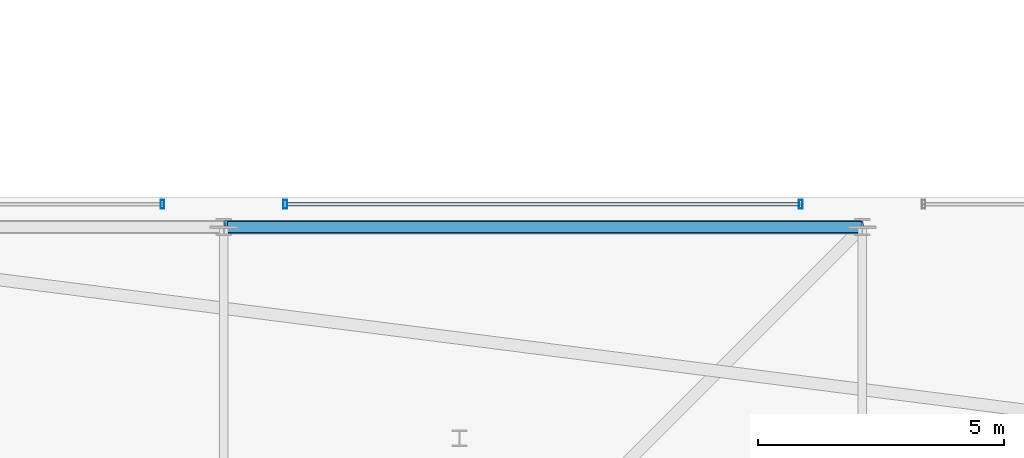
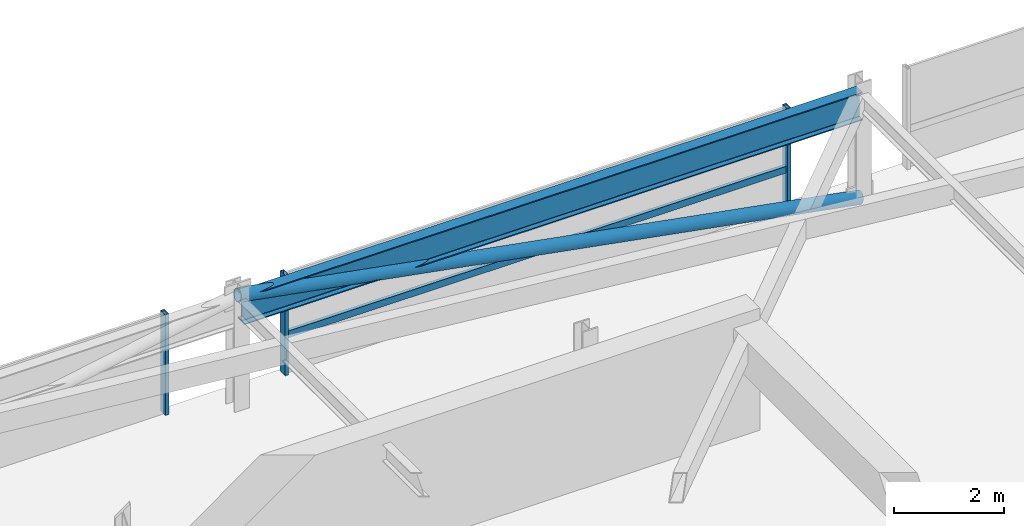
# One storey, part 24 of 42: 5 members, 1 beam, 2 elements without a shape of their own.
"""IFC4 building model written with IfcOpenShell, lengths in metres."""

from ifc_helpers import new_model, si_unit, direction, frame, origin, origin_2d, place, context, subcontext, project, spatial, hollow_rectangle, hollow_circle, i_section, extrude, material, material_profile, profile_set, type_object, element, aggregate, save


model = new_model("IFC4")

# Units and contexts
model_context = context("Model", 3, precision=1e-05, world=origin(), true_north=direction((0.0, 1.0)))
body_context = subcontext(model_context, "Body", "Model", "MODEL_VIEW")
ifc_project = project(units=[si_unit("LENGTHUNIT", "METRE"), si_unit("AREAUNIT", "SQUARE_METRE"), si_unit("VOLUMEUNIT", "CUBIC_METRE"), si_unit("PLANEANGLEUNIT", "RADIAN"), si_unit("MASSUNIT", "GRAM", prefix="KILO")], contexts=[model_context])

# Site, building, storey
site_placement = place(None, origin())
site = spatial("IfcSite", under=ifc_project, at=site_placement, CompositionType="ELEMENT")
building_placement = place(site_placement, origin())
building = spatial("IfcBuilding", under=site, at=building_placement, Name="Thornwick Lancets Civic Towers", CompositionType="ELEMENT")
storey_placement = place(building_placement, frame((0.0, 0.0, 286.800048828125)))
storey = spatial("IfcBuildingStorey", under=building, at=storey_placement, Name="C03", CompositionType="ELEMENT", Elevation=286.800048828125)

# Beam
ifc_material_1 = material(Name="Steel S355JR", Category="steel")
ifc_material_profile_1 = material_profile(ifc_material_1, i_section(OverallWidth=0.230224609375, OverallDepth=0.6171875, WebThickness=0.01318359375, FlangeThickness=0.022216796875, FilletRadius=0.0126953125, at=origin_2d()), Name="UKB 610x229x140")
ifc_profile_set_1 = profile_set([ifc_material_profile_1], Name="Steel S355JR")
beam_type = type_object("IfcBeamType", Name="BM_GIRD_610_140", PredefinedType="BEAM", material=ifc_profile_set_1)
beam_placement = place(storey_placement, frame((25.580078125, 44.300048828125, 2.13134765625), z_axis=(1.0, 0.0, 0.0), x_axis=(0.0, 1.0, 0.0)))
element("IfcBeam", 1, at=beam_placement, inside=storey, type_object=beam_type, Name="BM-SPINE-C03-A-7-8", PredefinedType="BEAM", context=body_context, shape_type="SweptSolid", body=[
    extrude(i_section(OverallWidth=0.230224609375, OverallDepth=0.6171875, WebThickness=0.01318359375, FlangeThickness=0.022216796875, FilletRadius=0.0126953125, at=origin_2d()), origin(), (0.0, 0.0, 1.0), 12.919921875),
])

# Curtain wall, members
ifc_material_2 = material(Name="Crown ring acoustic-louvre and glazing screen wall", Category="glass")
curtain_wall_type = type_object("IfcCurtainWallType", Name="CW_SYS_07", PredefinedType="NOTDEFINED", material=ifc_material_2)
curtain_wall_1_placement = place(storey_placement, origin())
curtain_wall_1 = element("IfcCurtainWall", 2, at=curtain_wall_1_placement, inside=storey, type_object=curtain_wall_type, Name="C03 Curtain Wall CW-C03-A-E4-S2", PredefinedType="NOTDEFINED")
ifc_material_3 = material(Name="Thermally broken bronze aluminium S355", Category="steel")
ifc_material_profile_2 = material_profile(ifc_material_3, hollow_rectangle(XDim=0.074951171875, YDim=0.179931640625, WallThickness=0.006103515625, at=origin_2d()), Name="RHS 180x75x6")
ifc_profile_set_2 = profile_set([ifc_material_profile_2], Name="Thermally broken bronze aluminium S355")
member_type_1 = type_object("IfcMemberType", Name="CW_MUL_180", PredefinedType="MULLION", material=ifc_profile_set_2)
member_1_placement = place(storey_placement, frame((37.25, 44.7646484375, 0.0), z_axis=(0.0, 0.0, 1.0), x_axis=(1.0, 0.0, 0.0)))
member_1 = element("IfcMember", 3, at=member_1_placement, type_object=member_type_1, Name="CW-C03-A-E4-S2 Mullion 0", PredefinedType="MULLION", context=body_context, shape_type="SweptSolid", body=[
    extrude(hollow_rectangle(XDim=0.074951171875, YDim=0.179931640625, WallThickness=0.006103515625, at=origin_2d()), origin(), (0.0, 0.0, 1.0), 2.219970703125),
])
member_2_placement = place(storey_placement, frame((26.75, 44.7646484375, 0.0), z_axis=(0.0, 0.0, 1.0), x_axis=(1.0, 0.0, 0.0)))
member_2 = element("IfcMember", 4, at=member_2_placement, type_object=member_type_1, Name="CW-C03-A-E4-S2 Mullion 1", PredefinedType="MULLION", context=body_context, shape_type="SweptSolid", body=[
    extrude(hollow_rectangle(XDim=0.074951171875, YDim=0.179931640625, WallThickness=0.006103515625, at=origin_2d()), origin(), (0.0, 0.0, 1.0), 2.219970703125),
])

# Curtain wall, member
curtain_wall_2_placement = place(storey_placement, origin())
curtain_wall_2 = element("IfcCurtainWall", 5, at=curtain_wall_2_placement, inside=storey, type_object=curtain_wall_type, Name="C03 Curtain Wall CW-C03-A-E4-S3", PredefinedType="NOTDEFINED")
member_3_placement = place(storey_placement, frame((24.25, 44.7646484375, 0.0), z_axis=(0.0, 0.0, 1.0), x_axis=(1.0, 0.0, 0.0)))
member_3 = element("IfcMember", 6, at=member_3_placement, type_object=member_type_1, Name="CW-C03-A-E4-S3 Mullion 0", PredefinedType="MULLION", context=body_context, shape_type="SweptSolid", body=[
    extrude(hollow_rectangle(XDim=0.074951171875, YDim=0.179931640625, WallThickness=0.006103515625, at=origin_2d()), origin(), (0.0, 0.0, 1.0), 2.219970703125),
])
aggregate(curtain_wall_2, [member_3])

# Member
ifc_material_profile_3 = material_profile(ifc_material_3, hollow_rectangle(XDim=0.074951171875, YDim=0.14990234375, WallThickness=0.0048828125, at=origin_2d()), Name="RHS 150x75x5")
ifc_profile_set_3 = profile_set([ifc_material_profile_3], Name="Thermally broken bronze aluminium S355")
member_type_2 = type_object("IfcMemberType", Name="CW_TRN_150", PredefinedType="USERDEFINED", material=ifc_profile_set_3)
member_4_placement = place(storey_placement, frame((37.22998046875, 44.7646484375, 0.849853515625), z_axis=(-1.0, 0.0, 0.0), x_axis=(0.0, -1.0, 0.0)))
member_4 = element("IfcMember", 7, at=member_4_placement, type_object=member_type_2, Name="CW-C03-A-E4-S2 Transom 0", ObjectType="TRANSOM", PredefinedType="USERDEFINED", context=body_context, shape_type="SweptSolid", body=[
    extrude(hollow_rectangle(XDim=0.074951171875, YDim=0.14990234375, WallThickness=0.0048828125, at=origin_2d()), origin(), (0.0, 0.0, 1.0), 10.4599609375),
])

aggregate(curtain_wall_1, [member_1, member_2, member_4])

ifc_material_profile_4 = material_profile(ifc_material_1, hollow_circle(Radius=0.136474609375, WallThickness=0.012451171875, at=origin_2d()), Name="CHS 273x12.5")
ifc_profile_set_4 = profile_set([ifc_material_profile_4], Name="Steel S355JR")
member_type_3 = type_object("IfcMemberType", Name="MEM_CROWN_CHS273", PredefinedType="BRACE", material=ifc_profile_set_4)
member_5_placement = place(storey_placement, frame((38.5, 44.300048828125, 0.050048828125), z_axis=(-0.98351842104, 0.0, 0.180807951915), x_axis=(0.0, -1.0, 0.0)))
element("IfcMember", 8, at=member_5_placement, inside=storey, type_object=member_type_3, Name="C03 Crown Ring Lancet Rib A-S2-R", PredefinedType="BRACE", context=body_context, shape_type="SweptSolid", body=[
    extrude(hollow_circle(Radius=0.136474609375, WallThickness=0.012451171875, at=origin_2d()), origin(), (0.0, 0.0, 1.0), 13.2177734375),
])

save(model, "model.ifc")
